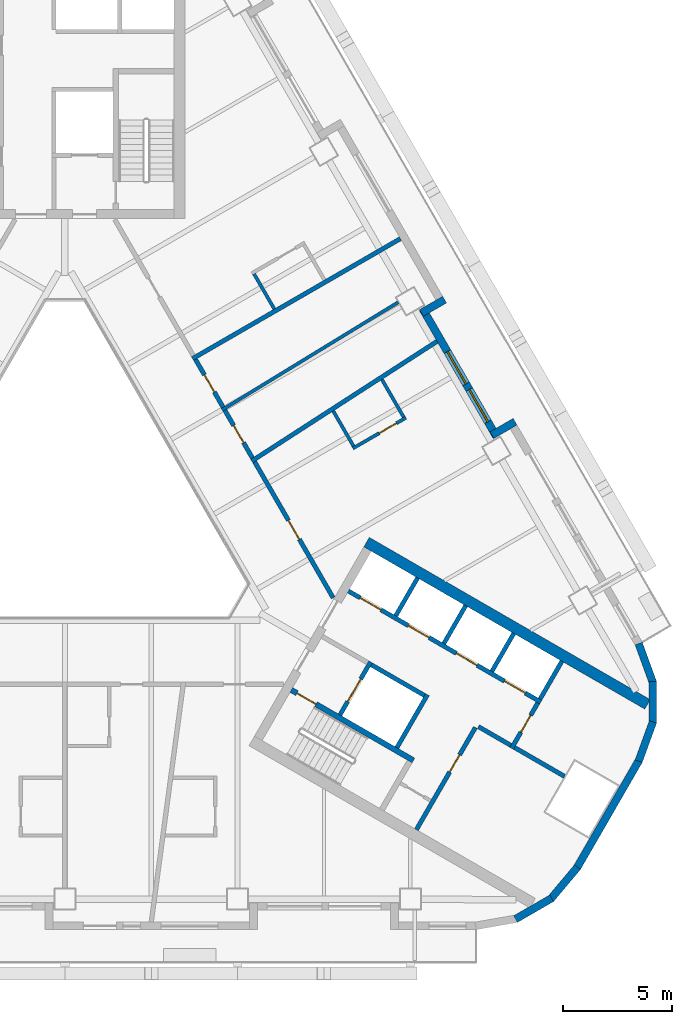
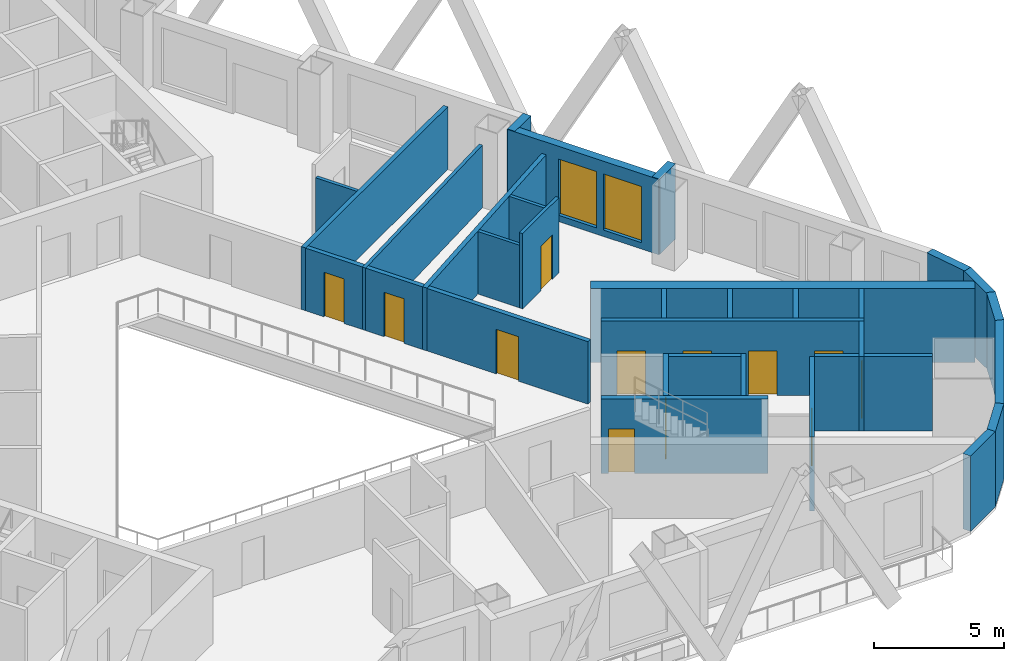
# One storey, part 5 of 13: 33 walls, 12 doors, 2 windows, 14 openings.
"""IFC4 building model written with IfcOpenShell, lengths in metres."""

from ifc_helpers import new_model, si_unit, direction, frame, frame_2d, origin, place, context, subcontext, project, spatial, rectangle, extrude, material, layer, layer_set, type_object, element, fill, save


model = new_model("IFC4")

# Units and contexts
model_context = context("Model", 3, precision=1e-05, world=origin(), true_north=direction((0.0, 1.0)))
body_context = subcontext(model_context, "Body", "Model", "MODEL_VIEW")
ifc_project = project(units=[si_unit("LENGTHUNIT", "METRE"), si_unit("AREAUNIT", "SQUARE_METRE"), si_unit("VOLUMEUNIT", "CUBIC_METRE"), si_unit("PLANEANGLEUNIT", "RADIAN"), si_unit("MASSUNIT", "GRAM", prefix="KILO")], contexts=[model_context])

# Site, building, storey
site_placement = place(None, origin())
site = spatial("IfcSite", under=ifc_project, at=site_placement, CompositionType="ELEMENT")
building_placement = place(site_placement, origin())
building = spatial("IfcBuilding", under=site, at=building_placement, Name="Apuvela Tower Hotel", CompositionType="ELEMENT")
storey_placement = place(building_placement, frame((0.0, 0.0, 61.300048828125)))
storey = spatial("IfcBuildingStorey", under=building, at=storey_placement, Name="L12", CompositionType="ELEMENT", Elevation=61.300048828125)

# Wall
ifc_material_1 = material(Name="Concrete C50/60", Category="concrete")
ifc_layer_1 = layer(ifc_material_1, 0.5)
ifc_layer_set_1 = layer_set([ifc_layer_1], Name="COR-WALL-CORE-500")
wall_type_1 = type_object("IfcWallType", Name="COR-WALL-CORE-500", PredefinedType="SHEAR", material=ifc_layer_set_1)
wall_1_placement = place(storey_placement, frame((13.796630859375, -1.9033203125, 0.0), z_axis=(0.0, 0.0, 1.0), x_axis=(0.866025009528, -0.500000682871, 0.0)))
element("IfcWall", 1, at=wall_1_placement, inside=storey, type_object=wall_type_1, Name="Core wall SE", PredefinedType="SHEAR", context=body_context, shape_type="SweptSolid", body=[
    extrude(rectangle(XDim=14.8369140625, YDim=0.5, at=frame_2d((7.41845703125, 0.0))), origin(), (0.0, 0.0, 1.0), 3.5),
])

# Wall, opening, door
ifc_material_2 = material(Name="Blockwork 200 mm plastered", Category="masonry")
ifc_layer_2 = layer(ifc_material_2, 0.199951171875)
ifc_layer_set_2 = layer_set([ifc_layer_2], Name="COR-WALL-PART-200")
wall_type_2 = type_object("IfcWallType", Name="COR-WALL-PART-200", PredefinedType="PARTITIONING", material=ifc_layer_set_2)
wall_2_placement = place(storey_placement, frame((16.076171875, -15.05517578125, 0.0), z_axis=(0.0, 0.0, 1.0), x_axis=(0.499995103361, 0.866028230842, 0.0)))
wall_2 = element("IfcWall", 2, at=wall_2_placement, inside=storey, type_object=wall_type_2, Name="Partition SE", PredefinedType="PARTITIONING", context=body_context, shape_type="SweptSolid", body=[
    extrude(rectangle(XDim=5.39990234375, YDim=0.199951171875, at=frame_2d((2.699951171875, 0.0))), origin(), (0.0, 0.0, 1.0), 3.5),
])
opening_1_placement = place(wall_2_placement, frame((3.050048828125, 0.0, 0.0)))
opening_1 = element("IfcOpeningElement", 3, at=opening_1_placement, cuts=wall_2, Name="Opening E-RS1", PredefinedType="OPENING", context=body_context, shape_type="SweptSolid", body=[
    extrude(rectangle(XDim=0.89990234375, YDim=2.10009765625, at=frame_2d((0.449951171875, 1.050048828125))), frame((0.0, 0.10986328125, 0.0), z_axis=(0.0, -1.0, 0.0), x_axis=(1.0, 0.0, 0.0)), (0.0, 0.0, 1.0), 0.219970703125),
])
ifc_material_3 = material(Name="Steel fire door, powder coated", Category="steel")
door_type_1 = type_object("IfcDoorType", Name="COR-DR-900", OperationType="NOTDEFINED", PredefinedType="DOOR", material=ifc_material_3)
door_1_placement = place(opening_1_placement, frame((0.89990234375, 0.0, 0.0), z_axis=(0.0, 0.0, 1.0), x_axis=(-1.0, 0.0, 0.0)))
door_1 = element("IfcDoor", 4, at=door_1_placement, inside=storey, type_object=door_type_1, Name="Store door E-RS1", OperationType="SINGLE_SWING_LEFT", OverallHeight=2.10009765625, OverallWidth=0.89990234375, PredefinedType="DOOR", context=body_context, shape_type="SweptSolid", body=[
    extrude(rectangle(XDim=0.89990234375, YDim=2.10009765625, at=frame_2d((0.449951171875, 1.050048828125))), frame((0.0, 0.02490234375, 0.0), z_axis=(0.0, -1.0, 0.0), x_axis=(1.0, 0.0, 0.0)), (0.0, 0.0, 1.0), 0.050048828125),
])
fill(opening_1, door_1)

# Wall
ifc_layer_3 = layer(ifc_material_1, 0.199951171875)
ifc_layer_set_3 = layer_set([ifc_layer_3], Name="COR-WALL-SHAFT-200")
wall_type_3 = type_object("IfcWallType", Name="COR-WALL-SHAFT-200", PredefinedType="SHEAR", material=ifc_layer_set_3)
wall_3_placement = place(storey_placement, frame((15.181396484375, -11.305419921875, 0.0), z_axis=(0.0, 0.0, 1.0), x_axis=(0.49994636267, 0.866056369097, 0.0)))
element("IfcWall", 5, at=wall_3_placement, inside=storey, type_object=wall_type_3, Name="Shaft wall SE", PredefinedType="SHEAR", context=body_context, shape_type="SweptSolid", body=[
    extrude(rectangle(XDim=2.800048828125, YDim=0.199951171875, at=frame_2d((1.39990234375, 0.0))), origin(), (0.0, 0.0, 1.0), 3.5),
])

# Wall, opening, door
wall_4_placement = place(storey_placement, frame((12.583251953125, -9.805419921875, 0.0), z_axis=(0.0, 0.0, 1.0), x_axis=(0.49994636267, 0.866056369097, 0.0)))
wall_4 = element("IfcWall", 6, at=wall_4_placement, inside=storey, type_object=wall_type_3, Name="Shaft wall SE", PredefinedType="SHEAR", context=body_context, shape_type="SweptSolid", body=[
    extrude(rectangle(XDim=2.800048828125, YDim=0.199951171875, at=frame_2d((1.39990234375, 0.0))), origin(), (0.0, 0.0, 1.0), 3.5),
])
opening_2_placement = place(wall_4_placement, frame((0.699951171875, 0.0, 0.0)))
opening_2 = element("IfcOpeningElement", 7, at=opening_2_placement, cuts=wall_4, Name="Opening E-LD-FS3", PredefinedType="OPENING", context=body_context, shape_type="SweptSolid", body=[
    extrude(rectangle(XDim=1.199951171875, YDim=2.10009765625, at=frame_2d((0.60009765625, 1.050048828125))), frame((0.0, 0.10986328125, 0.0), z_axis=(0.0, -1.0, 0.0), x_axis=(1.0, 0.0, 0.0)), (0.0, 0.0, 1.0), 0.219970703125),
])
ifc_material_4 = material(Name="Stainless steel lift landing door", Category="steel")
door_type_2 = type_object("IfcDoorType", Name="COR-LD-1200", OperationType="DOUBLE_DOOR_SLIDING", PredefinedType="DOOR", material=ifc_material_4)
door_2_placement = place(opening_2_placement, origin())
door_2 = element("IfcDoor", 8, at=door_2_placement, inside=storey, type_object=door_type_2, Name="Lift landing door E-LD-FS3", OperationType="DOUBLE_DOOR_SLIDING", OverallHeight=2.10009765625, OverallWidth=1.199951171875, PredefinedType="DOOR", context=body_context, shape_type="SweptSolid", body=[
    extrude(rectangle(XDim=1.199951171875, YDim=2.10009765625, at=frame_2d((0.60009765625, 1.050048828125))), frame((0.0, 0.02490234375, 0.0), z_axis=(0.0, -1.0, 0.0), x_axis=(1.0, 0.0, 0.0)), (0.0, 0.0, 1.0), 0.050048828125),
])
fill(opening_2, door_2)

# Wall
wall_5_placement = place(storey_placement, frame((14.019775390625, -7.51708984375, 0.0), z_axis=(0.0, 0.0, 1.0), x_axis=(0.866034573852, -0.49998411664, 0.0)))
element("IfcWall", 9, at=wall_5_placement, inside=storey, type_object=wall_type_3, Name="Shaft wall SE", PredefinedType="SHEAR", context=body_context, shape_type="SweptSolid", body=[
    extrude(rectangle(XDim=2.7998046875, YDim=0.199951171875, at=frame_2d((1.39990234375, 0.0))), origin(), (0.0, 0.0, 1.0), 3.5),
])

# Wall, openings, doors
wall_6_placement = place(storey_placement, frame((12.968017578125, -4.138427734375, 0.0), z_axis=(0.0, 0.0, 1.0), x_axis=(0.866028328073, -0.49999493495, 0.0)))
wall_6 = element("IfcWall", 10, at=wall_6_placement, inside=storey, type_object=wall_type_3, Name="Shaft wall SE", PredefinedType="SHEAR", context=body_context, shape_type="SweptSolid", body=[
    extrude(rectangle(XDim=10.16015625, YDim=0.199951171875, at=frame_2d((5.080078125, 0.0))), origin(), (0.0, 0.0, 1.0), 3.5),
])
opening_3_placement = place(wall_6_placement, frame((0.6201171875, 0.0, 0.0)))
opening_3 = element("IfcOpeningElement", 11, at=opening_3_placement, cuts=wall_6, Name="Opening E-LD-LR1", PredefinedType="OPENING", context=body_context, shape_type="SweptSolid", body=[
    extrude(rectangle(XDim=1.10009765625, YDim=2.10009765625, at=frame_2d((0.550048828125, 1.050048828125))), frame((0.0, 0.10986328125, 0.0), z_axis=(0.0, -1.0, 0.0), x_axis=(1.0, 0.0, 0.0)), (0.0, 0.0, 1.0), 0.219970703125),
])
opening_4_placement = place(wall_6_placement, frame((3.159912109375, 0.0, 0.0)))
opening_4 = element("IfcOpeningElement", 12, at=opening_4_placement, cuts=wall_6, Name="Opening E-LD-LR2", PredefinedType="OPENING", context=body_context, shape_type="SweptSolid", body=[
    extrude(rectangle(XDim=1.10009765625, YDim=2.10009765625, at=frame_2d((0.550048828125, 1.050048828125))), frame((0.0, 0.10986328125, 0.0), z_axis=(0.0, -1.0, 0.0), x_axis=(1.0, 0.0, 0.0)), (0.0, 0.0, 1.0), 0.219970703125),
])
opening_5_placement = place(wall_6_placement, frame((5.699951171875, 0.0, 0.0)))
opening_5 = element("IfcOpeningElement", 13, at=opening_5_placement, cuts=wall_6, Name="Opening E-LD-LR3", PredefinedType="OPENING", context=body_context, shape_type="SweptSolid", body=[
    extrude(rectangle(XDim=1.10009765625, YDim=2.10009765625, at=frame_2d((0.550048828125, 1.050048828125))), frame((0.0, 0.10986328125, 0.0), z_axis=(0.0, -1.0, 0.0), x_axis=(1.0, 0.0, 0.0)), (0.0, 0.0, 1.0), 0.219970703125),
])
opening_6_placement = place(wall_6_placement, frame((8.239990234375, 0.0, 0.0)))
opening_6 = element("IfcOpeningElement", 14, at=opening_6_placement, cuts=wall_6, Name="Opening E-LD-LR4", PredefinedType="OPENING", context=body_context, shape_type="SweptSolid", body=[
    extrude(rectangle(XDim=1.10009765625, YDim=2.10009765625, at=frame_2d((0.550048828125, 1.050048828125))), frame((0.0, 0.10986328125, 0.0), z_axis=(0.0, -1.0, 0.0), x_axis=(1.0, 0.0, 0.0)), (0.0, 0.0, 1.0), 0.219970703125),
])
door_type_3 = type_object("IfcDoorType", Name="COR-LD-1100", OperationType="DOUBLE_DOOR_SLIDING", PredefinedType="DOOR", material=ifc_material_4)
door_3_placement = place(opening_3_placement, origin())
door_3 = element("IfcDoor", 15, at=door_3_placement, inside=storey, type_object=door_type_3, Name="Lift landing door E-LD-LR1", OperationType="DOUBLE_DOOR_SLIDING", OverallHeight=2.10009765625, OverallWidth=1.10009765625, PredefinedType="DOOR", context=body_context, shape_type="SweptSolid", body=[
    extrude(rectangle(XDim=1.10009765625, YDim=2.10009765625, at=frame_2d((0.550048828125, 1.050048828125))), frame((0.0, 0.02490234375, 0.0), z_axis=(0.0, -1.0, 0.0), x_axis=(1.0, 0.0, 0.0)), (0.0, 0.0, 1.0), 0.050048828125),
])
fill(opening_3, door_3)
door_4_placement = place(opening_4_placement, origin())
door_4 = element("IfcDoor", 16, at=door_4_placement, inside=storey, type_object=door_type_3, Name="Lift landing door E-LD-LR2", OperationType="DOUBLE_DOOR_SLIDING", OverallHeight=2.10009765625, OverallWidth=1.10009765625, PredefinedType="DOOR", context=body_context, shape_type="SweptSolid", body=[
    extrude(rectangle(XDim=1.10009765625, YDim=2.10009765625, at=frame_2d((0.550048828125, 1.050048828125))), frame((0.0, 0.02490234375, 0.0), z_axis=(0.0, -1.0, 0.0), x_axis=(1.0, 0.0, 0.0)), (0.0, 0.0, 1.0), 0.050048828125),
])
fill(opening_4, door_4)
door_5_placement = place(opening_5_placement, origin())
door_5 = element("IfcDoor", 17, at=door_5_placement, inside=storey, type_object=door_type_3, Name="Lift landing door E-LD-LR3", OperationType="DOUBLE_DOOR_SLIDING", OverallHeight=2.10009765625, OverallWidth=1.10009765625, PredefinedType="DOOR", context=body_context, shape_type="SweptSolid", body=[
    extrude(rectangle(XDim=1.10009765625, YDim=2.10009765625, at=frame_2d((0.550048828125, 1.050048828125))), frame((0.0, 0.02490234375, 0.0), z_axis=(0.0, -1.0, 0.0), x_axis=(1.0, 0.0, 0.0)), (0.0, 0.0, 1.0), 0.050048828125),
])
fill(opening_5, door_5)
door_6_placement = place(opening_6_placement, origin())
door_6 = element("IfcDoor", 18, at=door_6_placement, inside=storey, type_object=door_type_3, Name="Lift landing door E-LD-LR4", OperationType="DOUBLE_DOOR_SLIDING", OverallHeight=2.10009765625, OverallWidth=1.10009765625, PredefinedType="DOOR", context=body_context, shape_type="SweptSolid", body=[
    extrude(rectangle(XDim=1.10009765625, YDim=2.10009765625, at=frame_2d((0.550048828125, 1.050048828125))), frame((0.0, 0.02490234375, 0.0), z_axis=(0.0, -1.0, 0.0), x_axis=(1.0, 0.0, 0.0)), (0.0, 0.0, 1.0), 0.050048828125),
])
fill(opening_6, door_6)

# Wall, opening, door
wall_7_placement = place(storey_placement, frame((20.430419921875, -11.33349609375, 0.0), z_axis=(0.0, 0.0, 1.0), x_axis=(0.500001309137, 0.866024647952, 0.0)))
wall_7 = element("IfcWall", 19, at=wall_7_placement, inside=storey, type_object=wall_type_3, Name="Shaft wall SE", PredefinedType="SHEAR", context=body_context, shape_type="SweptSolid", body=[
    extrude(rectangle(XDim=2.39990234375, YDim=0.199951171875, at=frame_2d((1.199951171875, 0.0))), origin(), (0.0, 0.0, 1.0), 3.5),
])
opening_7_placement = place(wall_7_placement, frame((0.85009765625, 0.0, 0.0)))
opening_7 = element("IfcOpeningElement", 20, at=opening_7_placement, cuts=wall_7, Name="Opening E-REP", PredefinedType="OPENING", context=body_context, shape_type="SweptSolid", body=[
    extrude(rectangle(XDim=0.89990234375, YDim=2.10009765625, at=frame_2d((0.449951171875, 1.050048828125))), frame((0.0, 0.10986328125, 0.0), z_axis=(0.0, -1.0, 0.0), x_axis=(1.0, 0.0, 0.0)), (0.0, 0.0, 1.0), 0.219970703125),
])
door_7_placement = place(opening_7_placement, frame((0.89990234375, 0.0, 0.0), z_axis=(0.0, 0.0, 1.0), x_axis=(-1.0, 0.0, 0.0)))
door_7 = element("IfcDoor", 21, at=door_7_placement, inside=storey, type_object=door_type_1, Name="Store door E-REP", OperationType="SINGLE_SWING_RIGHT", OverallHeight=2.10009765625, OverallWidth=0.89990234375, PredefinedType="DOOR", context=body_context, shape_type="SweptSolid", body=[
    extrude(rectangle(XDim=0.89990234375, YDim=2.10009765625, at=frame_2d((0.449951171875, 1.050048828125))), frame((0.0, 0.02490234375, 0.0), z_axis=(0.0, -1.0, 0.0), x_axis=(1.0, 0.0, 0.0)), (0.0, 0.0, 1.0), 0.050048828125),
])
fill(opening_7, door_7)

# Walls
wall_8_placement = place(storey_placement, frame((18.912841796875, -10.342041015625, 0.0), z_axis=(0.0, 0.0, 1.0), x_axis=(0.866038183914, -0.499977863513, 0.0)))
element("IfcWall", 22, at=wall_8_placement, inside=storey, type_object=wall_type_3, Name="Shaft wall SE", PredefinedType="SHEAR", context=body_context, shape_type="SweptSolid", body=[
    extrude(rectangle(XDim=1.7099609375, YDim=0.199951171875, at=frame_2d((0.85498046875, 0.0))), origin(), (0.0, 0.0, 1.0), 3.5),
])
for number, where, z_axis, x_axis, name in (
    (23, (15.131103515625, -5.27197265625, 0.0), (0.0, 0.0, 1.0), (0.499972520799, 0.866041268327, 0.0), "Shaft wall SE"),
    (24, (17.330810546875, -6.5419921875, 0.0), (0.0, 0.0, 1.0), (0.499972520799, 0.866041268327, 0.0), "Shaft wall SE"),
    (25, (19.530517578125, -7.81201171875, 0.0), (0.0, 0.0, 1.0), (0.499972520799, 0.866041268327, 0.0), "Shaft wall SE"),
    (26, (21.73046875, -9.081787109375, 0.0), (0.0, 0.0, 1.0), (0.50002537861, 0.866010750942, 0.0), "Shaft wall SE"),
):
    element("IfcWall", number, at=place(storey_placement, frame(where, z_axis=z_axis, x_axis=x_axis)), inside=storey, type_object=wall_type_3, Name=name, PredefinedType="SHEAR", context=body_context, shape_type="SweptSolid", body=[
        extrude(rectangle(XDim=2.0, YDim=0.199951171875, at=frame_2d((1.0, 0.0))), origin(), (0.0, 0.0, 1.0), 3.5),
    ])
wall_9_placement = place(storey_placement, frame((20.56689453125, -11.297119140625, 0.0), z_axis=(0.0, 0.0, 1.0), x_axis=(0.866060851709, -0.499938597367, 0.0)))
element("IfcWall", 27, at=wall_9_placement, inside=storey, type_object=wall_type_3, Name="Shaft wall SE", PredefinedType="SHEAR", context=body_context, shape_type="SweptSolid", body=[
    extrude(rectangle(XDim=2.639892578125, YDim=0.199951171875, at=frame_2d((1.31982421875, 0.0))), origin(), (0.0, 0.0, 1.0), 3.5),
])

# Wall, opening, door
ifc_layer_4 = layer(ifc_material_1, 0.25)
ifc_layer_set_4 = layer_set([ifc_layer_4], Name="COR-WALL-STAIR-250")
wall_type_4 = type_object("IfcWallType", Name="COR-WALL-STAIR-250", PredefinedType="SHEAR", material=ifc_layer_set_4)
wall_10_placement = place(storey_placement, frame((10.355712890625, -8.66357421875, 0.0), z_axis=(0.0, 0.0, 1.0), x_axis=(0.866028629588, -0.499994412703, 0.0)))
wall_10 = element("IfcWall", 28, at=wall_10_placement, inside=storey, type_object=wall_type_4, Name="Stair wall SE", PredefinedType="SHEAR", context=body_context, shape_type="SweptSolid", body=[
    extrude(rectangle(XDim=6.44970703125, YDim=0.25, at=frame_2d((3.224853515625, 0.0))), origin(), (0.0, 0.0, 1.0), 3.5),
])
opening_8_placement = place(wall_10_placement, frame((0.300048828125, 0.0, 0.0)))
opening_8 = element("IfcOpeningElement", 29, at=opening_8_placement, cuts=wall_10, Name="Opening E-SD", PredefinedType="OPENING", context=body_context, shape_type="SweptSolid", body=[
    extrude(rectangle(XDim=1.0, YDim=2.10009765625, at=frame_2d((0.5, 1.050048828125))), frame((0.0, 0.135009765625, 0.0), z_axis=(0.0, -1.0, 0.0), x_axis=(1.0, 0.0, 0.0)), (0.0, 0.0, 1.0), 0.27001953125),
])
door_type_4 = type_object("IfcDoorType", Name="COR-SD-1000", OperationType="NOTDEFINED", PredefinedType="DOOR", material=ifc_material_3)
door_8_placement = place(opening_8_placement, frame((1.0, 0.0, 0.0), z_axis=(0.0, 0.0, 1.0), x_axis=(-1.0, 0.0, 0.0)))
door_8 = element("IfcDoor", 30, at=door_8_placement, inside=storey, type_object=door_type_4, Name="Stair door E-SD", OperationType="SINGLE_SWING_LEFT", OverallHeight=2.10009765625, OverallWidth=1.0, PredefinedType="DOOR", context=body_context, shape_type="SweptSolid", body=[
    extrude(rectangle(XDim=1.0, YDim=2.10009765625, at=frame_2d((0.5, 1.050048828125))), frame((0.0, 0.02490234375, 0.0), z_axis=(0.0, -1.0, 0.0), x_axis=(1.0, 0.0, 0.0)), (0.0, 0.0, 1.0), 0.050048828125),
])
fill(opening_8, door_8)

# Walls
ifc_material_5 = material(Name="Concrete C40/50, dark pigmented precast panel", Category="concrete")
ifc_layer_5 = layer(ifc_material_5, 0.35009765625)
ifc_layer_set_5 = layer_set([ifc_layer_5], Name="ENV-WALL-350")
wall_type_5 = type_object("IfcWallType", Name="ENV-WALL-350", PredefinedType="SOLIDWALL", material=ifc_layer_set_5)
for number, where, z_axis, x_axis, name in (
    (31, (20.609619140625, -19.146728515625, 0.0), (0.0, 0.0, 1.0), (0.866000389056, 0.500043324278, 0.0), "External wall L12-27"),
    (32, (22.21728515625, -18.230712890625, 0.0), (0.0, 0.0, 1.0), (0.642733291068, 0.76609001857, 0.0), "External wall L12-28"),
):
    element("IfcWall", number, at=place(storey_placement, frame(where, z_axis=z_axis, x_axis=x_axis)), inside=storey, type_object=wall_type_5, Name=name, PredefinedType="SOLIDWALL", context=body_context, shape_type="SweptSolid", body=[
        extrude(rectangle(XDim=1.909912109375, YDim=0.35009765625, at=frame_2d((0.955078125, 0.0))), origin(), (0.0, 0.0, 1.0), 3.550048828125),
    ])
wall_11_placement = place(storey_placement, frame((23.427490234375, -16.79248046875, 0.0), z_axis=(0.0, 0.0, 1.0), x_axis=(0.500018773155, 0.866014564827, 0.0)))
element("IfcWall", 33, at=wall_11_placement, inside=storey, type_object=wall_type_5, Name="External wall L12-29", PredefinedType="SOLIDWALL", context=body_context, shape_type="SweptSolid", body=[
    extrude(rectangle(XDim=5.657958984375, YDim=0.35009765625, at=frame_2d((2.8291015625, 0.0))), origin(), (0.0, 0.0, 1.0), 3.550048828125),
])
for number, where, z_axis, x_axis, name in (
    (34, (26.24365234375, -11.920166015625, 0.0), (0.0, 0.0, 1.0), (0.342030395486, 0.939688889242, 0.0), "External wall L12-30"),
    (35, (26.88623046875, -10.18505859375, 0.0), (0.0, 0.0, 1.0), (0.0, 1.0, 0.0), "External wall L12-31"),
    (36, (26.89697265625, -8.334716796875, 0.0), (0.0, 0.0, 1.0), (-0.342030395486, 0.939688889242, 0.0), "External wall L12-32"),
):
    element("IfcWall", number, at=place(storey_placement, frame(where, z_axis=z_axis, x_axis=x_axis)), inside=storey, type_object=wall_type_5, Name=name, PredefinedType="SOLIDWALL", context=body_context, shape_type="SweptSolid", body=[
        extrude(rectangle(XDim=1.91015625, YDim=0.35009765625, at=frame_2d((0.955078125, 0.0))), origin(), (0.0, 0.0, 1.0), 3.550048828125),
    ])
wall_12_placement = place(storey_placement, frame((20.587646484375, 3.601318359375, 0.0), z_axis=(0.0, 0.0, 1.0), x_axis=(-0.866005645448, -0.500034220881, 0.0)))
element("IfcWall", 37, at=wall_12_placement, inside=storey, type_object=wall_type_5, Name="External wall L12-34", PredefinedType="SOLIDWALL", context=body_context, shape_type="SweptSolid", body=[
    extrude(rectangle(XDim=1.22021484375, YDim=0.35009765625, at=frame_2d((0.610107421875, 0.0))), origin(), (0.0, 0.0, 1.0), 3.550048828125),
])

# Wall, openings, windows
wall_13_placement = place(storey_placement, frame((19.72900390625, 2.93798828125, 0.0), z_axis=(0.0, 0.0, 1.0), x_axis=(-0.499976430342, 0.866039011305, 0.0)))
wall_13 = element("IfcWall", 38, at=wall_13_placement, inside=storey, type_object=wall_type_5, Name="External wall L12-35", PredefinedType="SOLIDWALL", context=body_context, shape_type="SweptSolid", body=[
    extrude(rectangle(XDim=6.739990234375, YDim=0.35009765625, at=frame_2d((3.3701171875, 0.0))), origin(), (0.0, 0.0, 1.0), 3.550048828125),
])
opening_9_placement = place(wall_13_placement, frame((0.77001953125, 0.0, 0.300048828125)))
opening_9 = element("IfcOpeningElement", 39, at=opening_9_placement, cuts=wall_13, Name="Opening WN17", PredefinedType="OPENING", context=body_context, shape_type="SweptSolid", body=[
    extrude(rectangle(XDim=1.699951171875, YDim=2.64990234375, at=frame_2d((0.85009765625, 1.324951171875))), frame((0.0, 0.18505859375, 0.0), z_axis=(0.0, -1.0, 0.0), x_axis=(1.0, 0.0, 0.0)), (0.0, 0.0, 1.0), 0.3701171875),
])
opening_10_placement = place(wall_13_placement, frame((2.77001953125, 0.0, 0.300048828125)))
opening_10 = element("IfcOpeningElement", 40, at=opening_10_placement, cuts=wall_13, Name="Opening WN17", PredefinedType="OPENING", context=body_context, shape_type="SweptSolid", body=[
    extrude(rectangle(XDim=1.699951171875, YDim=2.64990234375, at=frame_2d((0.85009765625, 1.324951171875))), frame((0.0, 0.18505859375, 0.0), z_axis=(0.0, -1.0, 0.0), x_axis=(1.0, 0.0, 0.0)), (0.0, 0.0, 1.0), 0.3701171875),
])
ifc_material_6 = material(Name="Glass, dark tinted laminated insulated glazing unit", Category="glass")
window_type = type_object("IfcWindowType", Name="ENV-WIN-1700x2650", PartitioningType="SINGLE_PANEL", PredefinedType="WINDOW", material=ifc_material_6)
window_1_placement = place(opening_9_placement, origin())
window_1 = element("IfcWindow", 41, at=window_1_placement, inside=storey, type_object=window_type, Name="Window WN17", OverallHeight=2.64990234375, OverallWidth=1.699951171875, PartitioningType="SINGLE_PANEL", PredefinedType="WINDOW", context=body_context, shape_type="SweptSolid", body=[
    extrude(rectangle(XDim=1.699951171875, YDim=2.64990234375, at=frame_2d((0.85009765625, 1.324951171875))), frame((0.0, 0.030029296875, 0.0), z_axis=(0.0, -1.0, 0.0), x_axis=(1.0, 0.0, 0.0)), (0.0, 0.0, 1.0), 0.06005859375),
])
fill(opening_9, window_1)
window_2_placement = place(opening_10_placement, origin())
window_2 = element("IfcWindow", 42, at=window_2_placement, inside=storey, type_object=window_type, Name="Window WN17", OverallHeight=2.64990234375, OverallWidth=1.699951171875, PartitioningType="SINGLE_PANEL", PredefinedType="WINDOW", context=body_context, shape_type="SweptSolid", body=[
    extrude(rectangle(XDim=1.699951171875, YDim=2.64990234375, at=frame_2d((0.85009765625, 1.324951171875))), frame((0.0, 0.030029296875, 0.0), z_axis=(0.0, -1.0, 0.0), x_axis=(1.0, 0.0, 0.0)), (0.0, 0.0, 1.0), 0.06005859375),
])
fill(opening_10, window_2)

# Walls
wall_14_placement = place(storey_placement, frame((16.305908203125, 8.5771484375, 0.0), z_axis=(0.0, 0.0, 1.0), x_axis=(0.866092288191, 0.499884134912, 0.0)))
element("IfcWall", 43, at=wall_14_placement, inside=storey, type_object=wall_type_5, Name="External wall L12-36", PredefinedType="SOLIDWALL", context=body_context, shape_type="SweptSolid", body=[
    extrude(rectangle(XDim=1.219970703125, YDim=0.35009765625, at=frame_2d((0.60986328125, 0.0))), origin(), (0.0, 0.0, 1.0), 3.550048828125),
])
ifc_material_7 = material(Name="Gypsum board partition on twin steel stud", Category="steel")
ifc_layer_6 = layer(ifc_material_7, 0.199951171875)
ifc_layer_set_6 = layer_set([ifc_layer_6], Name="GST-PW1")
wall_type_6 = type_object("IfcWallType", Name="GST-PW1", PredefinedType="PARTITIONING", material=ifc_layer_set_6)
wall_15_placement = place(storey_placement, frame((17.02001953125, 7.2802734375, 0.0), z_axis=(0.0, 0.0, 1.0), x_axis=(-0.839924980805, -0.542702521294, 0.0)))
element("IfcWall", 44, at=wall_15_placement, inside=storey, type_object=wall_type_6, Name="L12 partition 03", PredefinedType="PARTITIONING", context=body_context, shape_type="SweptSolid", body=[
    extrude(rectangle(XDim=10.092529296875, YDim=0.199951171875, at=frame_2d((5.04638671875, 0.0))), origin(), (0.0, 0.0, 1.0), 2.9599609375),
])
wall_16_placement = place(storey_placement, frame((15.346923828125, 11.978271484375, 0.0), z_axis=(0.0, 0.0, 1.0), x_axis=(-0.866027479907, -0.499996404033, 0.0)))
element("IfcWall", 45, at=wall_16_placement, inside=storey, type_object=wall_type_6, Name="L12 partition 04", PredefinedType="PARTITIONING", context=body_context, shape_type="SweptSolid", body=[
    extrude(rectangle(XDim=10.97998046875, YDim=0.199951171875, at=frame_2d((5.489990234375, 0.0))), origin(), (0.0, 0.0, 1.0), 2.9599609375),
])

# Wall, opening, door
ifc_material_8 = material(Name="Gypsum board corridor wall on twin steel stud, acoustic", Category="steel")
ifc_layer_7 = layer(ifc_material_8, 0.199951171875)
ifc_layer_set_7 = layer_set([ifc_layer_7], Name="GST-PW2")
wall_type_7 = type_object("IfcWallType", Name="GST-PW2", PredefinedType="PARTITIONING", material=ifc_layer_set_7)
wall_17_placement = place(storey_placement, frame((8.67724609375, 1.770751953125, 0.0), z_axis=(0.0, 0.0, 1.0), x_axis=(0.50000293509, -0.866023709203, 0.0)))
wall_17 = element("IfcWall", 46, at=wall_17_placement, inside=storey, type_object=wall_type_7, Name="L12 partition 18", PredefinedType="PARTITIONING", context=body_context, shape_type="SweptSolid", body=[
    extrude(rectangle(XDim=7.18310546875, YDim=0.199951171875, at=frame_2d((3.591552734375, 0.0))), origin(), (0.0, 0.0, 1.0), 2.949951171875),
])
opening_11_placement = place(wall_17_placement, frame((3.091552734375, 0.0, 0.0)))
opening_11 = element("IfcOpeningElement", 47, at=opening_11_placement, cuts=wall_17, Name="Opening GD03-08", PredefinedType="OPENING", context=body_context, shape_type="SweptSolid", body=[
    extrude(rectangle(XDim=1.0, YDim=2.10009765625, at=frame_2d((0.5, 1.050048828125))), frame((0.0, 0.10986328125, 0.0), z_axis=(0.0, -1.0, 0.0), x_axis=(1.0, 0.0, 0.0)), (0.0, 0.0, 1.0), 0.219970703125),
])
ifc_material_9 = material(Name="Timber door leaf in steel frame", Category="steel")
door_type_5 = type_object("IfcDoorType", Name="GST-D1", OperationType="NOTDEFINED", PredefinedType="DOOR", material=ifc_material_9)
door_9_placement = place(opening_11_placement, origin())
door_9 = element("IfcDoor", 48, at=door_9_placement, inside=storey, type_object=door_type_5, Name="Door L12-08", OperationType="SINGLE_SWING_LEFT", OverallHeight=2.10009765625, OverallWidth=1.0, PredefinedType="DOOR", context=body_context, shape_type="SweptSolid", body=[
    extrude(rectangle(XDim=1.0, YDim=2.10009765625, at=frame_2d((0.5, 1.050048828125))), frame((0.0, 0.02490234375, 0.0), z_axis=(0.0, -1.0, 0.0), x_axis=(1.0, 0.0, 0.0)), (0.0, 0.0, 1.0), 0.050048828125),
])
fill(opening_11, door_9)

wall_18_placement = place(storey_placement, frame((7.3134765625, 4.1328125, 0.0), z_axis=(0.0, 0.0, 1.0), x_axis=(0.500003972934, -0.866023109998, 0.0)))
wall_18 = element("IfcWall", 49, at=wall_18_placement, inside=storey, type_object=wall_type_7, Name="L12 partition 23", PredefinedType="PARTITIONING", context=body_context, shape_type="SweptSolid", body=[
    extrude(rectangle(XDim=2.52734375, YDim=0.199951171875, at=frame_2d((1.263671875, 0.0))), origin(), (0.0, 0.0, 1.0), 2.949951171875),
])
opening_12_placement = place(wall_18_placement, frame((0.813720703125, 0.0, 0.0)))
opening_12 = element("IfcOpeningElement", 50, at=opening_12_placement, cuts=wall_18, Name="Opening GD03-09", PredefinedType="OPENING", context=body_context, shape_type="SweptSolid", body=[
    extrude(rectangle(XDim=0.89990234375, YDim=2.10009765625, at=frame_2d((0.449951171875, 1.050048828125))), frame((0.0, 0.10986328125, 0.0), z_axis=(0.0, -1.0, 0.0), x_axis=(1.0, 0.0, 0.0)), (0.0, 0.0, 1.0), 0.219970703125),
])
door_type_6 = type_object("IfcDoorType", Name="GST-D2", OperationType="NOTDEFINED", PredefinedType="DOOR", material=ifc_material_9)
door_10_placement = place(opening_12_placement, origin())
door_10 = element("IfcDoor", 51, at=door_10_placement, inside=storey, type_object=door_type_6, Name="Door L12-09", OperationType="SINGLE_SWING_LEFT", OverallHeight=2.10009765625, OverallWidth=0.89990234375, PredefinedType="DOOR", context=body_context, shape_type="SweptSolid", body=[
    extrude(rectangle(XDim=0.89990234375, YDim=2.10009765625, at=frame_2d((0.449951171875, 1.050048828125))), frame((0.0, 0.02490234375, 0.0), z_axis=(0.0, -1.0, 0.0), x_axis=(1.0, 0.0, 0.0)), (0.0, 0.0, 1.0), 0.050048828125),
])
fill(opening_12, door_10)

wall_19_placement = place(storey_placement, frame((5.974609375, 6.45166015625, 0.0), z_axis=(0.0, 0.0, 1.0), x_axis=(0.499962146402, -0.866047257466, 0.0)))
wall_19 = element("IfcWall", 52, at=wall_19_placement, inside=storey, type_object=wall_type_7, Name="L12 partition 24", PredefinedType="PARTITIONING", context=body_context, shape_type="SweptSolid", body=[
    extrude(rectangle(XDim=2.527587890625, YDim=0.199951171875, at=frame_2d((1.263671875, 0.0))), origin(), (0.0, 0.0, 1.0), 2.949951171875),
])
opening_13_placement = place(wall_19_placement, frame((0.813720703125, 0.0, 0.0)))
opening_13 = element("IfcOpeningElement", 53, at=opening_13_placement, cuts=wall_19, Name="Opening GD03-10", PredefinedType="OPENING", context=body_context, shape_type="SweptSolid", body=[
    extrude(rectangle(XDim=0.89990234375, YDim=2.10009765625, at=frame_2d((0.449951171875, 1.050048828125))), frame((0.0, 0.10986328125, 0.0), z_axis=(0.0, -1.0, 0.0), x_axis=(1.0, 0.0, 0.0)), (0.0, 0.0, 1.0), 0.219970703125),
])
door_11_placement = place(opening_13_placement, origin())
door_11 = element("IfcDoor", 54, at=door_11_placement, inside=storey, type_object=door_type_6, Name="Door L12-10", OperationType="SINGLE_SWING_RIGHT", OverallHeight=2.10009765625, OverallWidth=0.89990234375, PredefinedType="DOOR", context=body_context, shape_type="SweptSolid", body=[
    extrude(rectangle(XDim=0.89990234375, YDim=2.10009765625, at=frame_2d((0.449951171875, 1.050048828125))), frame((0.0, 0.02490234375, 0.0), z_axis=(0.0, -1.0, 0.0), x_axis=(1.0, 0.0, 0.0)), (0.0, 0.0, 1.0), 0.050048828125),
])
fill(opening_13, door_11)

ifc_material_10 = material(Name="Moisture-resistant gypsum board wet wall on steel stud", Category="steel")
ifc_layer_8 = layer(ifc_material_10, 0.14990234375)
ifc_layer_set_8 = layer_set([ifc_layer_8], Name="GST-PW3")
wall_type_8 = type_object("IfcWallType", Name="GST-PW3", PredefinedType="PARTITIONING", material=ifc_layer_set_8)
wall_20_placement = place(storey_placement, frame((13.171875, 2.3857421875, 0.0), z_axis=(0.0, 0.0, 1.0), x_axis=(0.865996816683, 0.500049511043, 0.0)))
wall_20 = element("IfcWall", 55, at=wall_20_placement, inside=storey, type_object=wall_type_8, Name="L12 partition 19", PredefinedType="PARTITIONING", context=body_context, shape_type="SweptSolid", body=[
    extrude(rectangle(XDim=2.800048828125, YDim=0.14990234375, at=frame_2d((1.39990234375, 0.0))), origin(), (0.0, 0.0, 1.0), 3.550048828125),
])
opening_14_placement = place(wall_20_placement, frame((1.39990234375, 0.0, 0.0)))
opening_14 = element("IfcOpeningElement", 56, at=opening_14_placement, cuts=wall_20, Name="Opening GD03-07", PredefinedType="OPENING", context=body_context, shape_type="SweptSolid", body=[
    extrude(rectangle(XDim=0.89990234375, YDim=2.10009765625, at=frame_2d((0.449951171875, 1.050048828125))), frame((0.0, 0.0849609375, 0.0), z_axis=(0.0, -1.0, 0.0), x_axis=(1.0, 0.0, 0.0)), (0.0, 0.0, 1.0), 0.169921875),
])
door_12_placement = place(opening_14_placement, origin())
door_12 = element("IfcDoor", 57, at=door_12_placement, inside=storey, type_object=door_type_6, Name="Door L12-07", OperationType="SINGLE_SWING_RIGHT", OverallHeight=2.10009765625, OverallWidth=0.89990234375, PredefinedType="DOOR", context=body_context, shape_type="SweptSolid", body=[
    extrude(rectangle(XDim=0.89990234375, YDim=2.10009765625, at=frame_2d((0.449951171875, 1.050048828125))), frame((0.0, 0.02490234375, 0.0), z_axis=(0.0, -1.0, 0.0), x_axis=(1.0, 0.0, 0.0)), (0.0, 0.0, 1.0), 0.050048828125),
])
fill(opening_14, door_12)

# Walls
wall_21_placement = place(storey_placement, frame((15.494140625, 3.813232421875, 0.0), z_axis=(0.0, 0.0, 1.0), x_axis=(-0.499945861543, 0.866056658381, 0.0)))
element("IfcWall", 58, at=wall_21_placement, inside=storey, type_object=wall_type_8, Name="L12 partition 20", PredefinedType="PARTITIONING", context=body_context, shape_type="SweptSolid", body=[
    extrude(rectangle(XDim=1.986572265625, YDim=0.14990234375, at=frame_2d((0.9931640625, 0.0))), origin(), (0.0, 0.0, 1.0), 2.949951171875),
])
wall_22_placement = place(storey_placement, frame((13.19921875, 2.48828125, 0.0), z_axis=(0.0, 0.0, 1.0), x_axis=(-0.499992292652, 0.866029853578, 0.0)))
element("IfcWall", 59, at=wall_22_placement, inside=storey, type_object=wall_type_8, Name="L12 partition 21", PredefinedType="PARTITIONING", context=body_context, shape_type="SweptSolid", body=[
    extrude(rectangle(XDim=1.853515625, YDim=0.14990234375, at=frame_2d((0.9267578125, 0.0))), origin(), (0.0, 0.0, 1.0), 2.949951171875),
])
wall_23_placement = place(storey_placement, frame((15.239013671875, 9.065185546875, 0.0), z_axis=(0.0, 0.0, 1.0), x_axis=(-0.853241525467, -0.521515962573, 0.0)))
element("IfcWall", 60, at=wall_23_placement, inside=storey, type_object=wall_type_8, Name="L12 partition 22", PredefinedType="PARTITIONING", context=body_context, shape_type="SweptSolid", body=[
    extrude(rectangle(XDim=9.432861328125, YDim=0.14990234375, at=frame_2d((4.71630859375, 0.0))), origin(), (0.0, 0.0, 1.0), 2.949951171875),
])
wall_24_placement = place(storey_placement, frame((9.576904296875, 8.762451171875, 0.0), z_axis=(0.0, 0.0, 1.0), x_axis=(-0.500042316284, 0.866000971088, 0.0)))
element("IfcWall", 61, at=wall_24_placement, inside=storey, type_object=wall_type_8, Name="L12 partition 28", PredefinedType="PARTITIONING", context=body_context, shape_type="SweptSolid", body=[
    extrude(rectangle(XDim=1.849853515625, YDim=0.14990234375, at=frame_2d((0.9248046875, 0.0))), origin(), (0.0, 0.0, 1.0), 2.949951171875),
])

save(model, "model.ifc")
